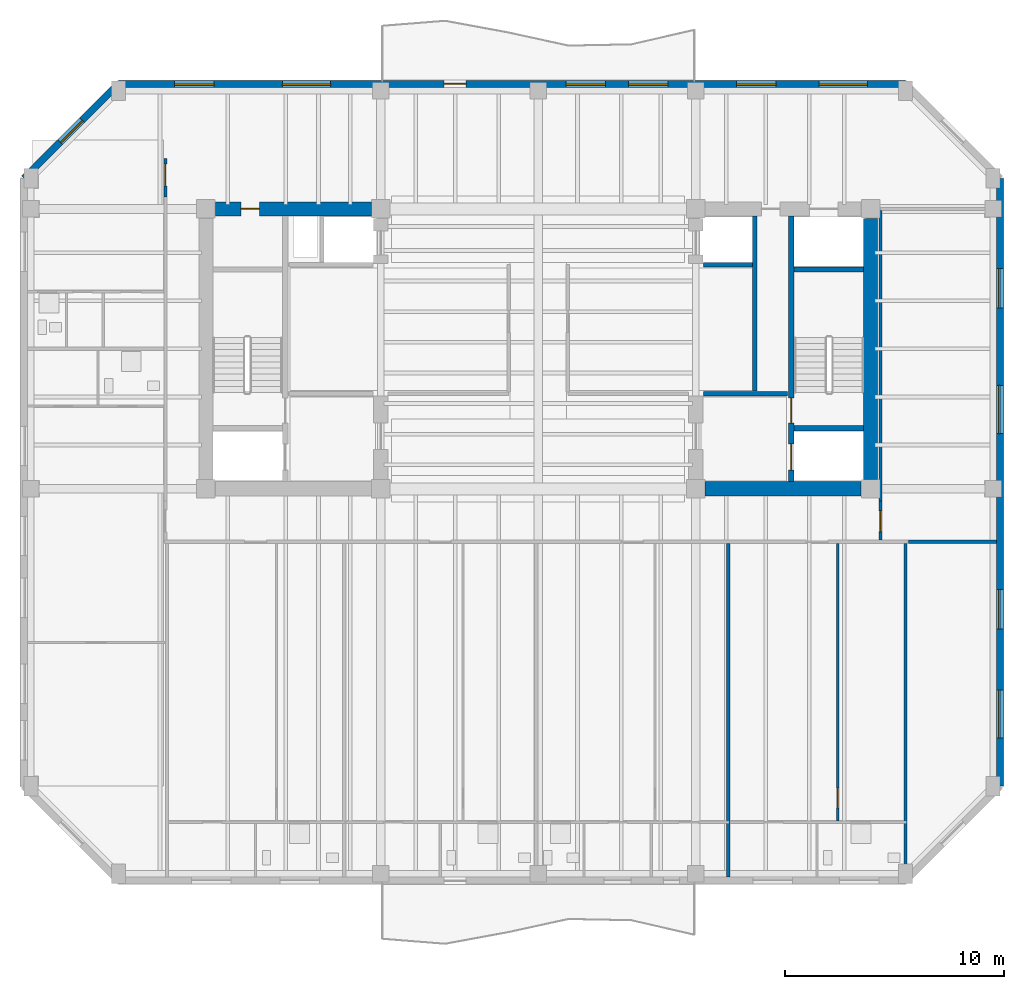
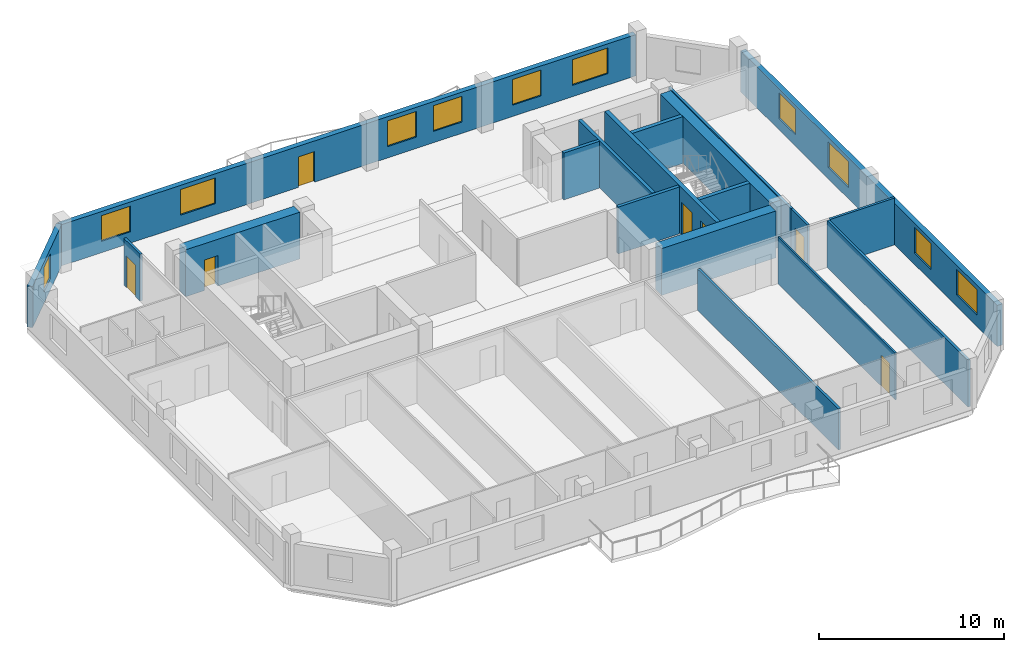
# One storey, part 5 of 11: 19 walls, 11 windows, 7 doors, 18 openings.
"""IFC4 building model written with IfcOpenShell, lengths in metres."""

from ifc_helpers import new_model, si_unit, direction, frame, frame_2d, origin, place, context, subcontext, project, spatial, rectangle, extrude, material, layer, layer_set, type_object, element, fill, save


model = new_model("IFC4")

# Units and contexts
model_context = context("Model", 3, precision=1e-05, world=origin(), true_north=direction((0.0, 1.0)))
body_context = subcontext(model_context, "Body", "Model", "MODEL_VIEW")
ifc_project = project(units=[si_unit("LENGTHUNIT", "METRE"), si_unit("AREAUNIT", "SQUARE_METRE"), si_unit("VOLUMEUNIT", "CUBIC_METRE"), si_unit("PLANEANGLEUNIT", "RADIAN"), si_unit("MASSUNIT", "GRAM", prefix="KILO")], contexts=[model_context])

# Site, building, storey
site_placement = place(None, origin())
site = spatial("IfcSite", under=ifc_project, at=site_placement, CompositionType="ELEMENT")
building_placement = place(site_placement, origin())
building = spatial("IfcBuilding", under=site, at=building_placement, Name="Kranthara Brick Stack", CompositionType="ELEMENT")
storey_placement = place(building_placement, frame((0.0, 0.0, 217.699951171875)))
storey = spatial("IfcBuildingStorey", under=building, at=storey_placement, Name="L56", CompositionType="ELEMENT", Elevation=217.699951171875)

# Wall, opening, window
ifc_material_1 = material(Name="Warm buff clay brick masonry M15", Category="masonry")
ifc_layer_1 = layer(ifc_material_1, 0.320068359375)
ifc_layer_set_1 = layer_set([ifc_layer_1], Name="Warm buff clay brick masonry M15")
wall_type_1 = type_object("IfcWallType", Name="WL-BRK-UPPR-320", PredefinedType="STANDARD", material=ifc_layer_set_1)
wall_1_placement = place(storey_placement, frame((4.47998046875, 35.0, 0.0), z_axis=(0.0, 0.0, 1.0), x_axis=(0.707106781187, 0.707106781187, 0.0)))
wall_1 = element("IfcWall", 1, at=wall_1_placement, inside=storey, type_object=wall_type_1, Name="L56 Exterior Brick Facade Wall NW 1", PredefinedType="STANDARD", context=body_context, shape_type="SweptSolid", body=[
    extrude(rectangle(XDim=6.109619140625, YDim=0.320068359375, at=frame_2d((3.0546875, 0.0))), origin(), (0.0, 0.0, 1.0), 2.72509765625),
])
opening_1_placement = place(wall_1_placement, frame((2.35498046875, 0.0, 0.75)))
opening_1 = element("IfcOpeningElement", 2, at=opening_1_placement, cuts=wall_1, Name="Opening WN10", PredefinedType="OPENING", context=body_context, shape_type="SweptSolid", body=[
    extrude(rectangle(XDim=1.39990234375, YDim=1.64990234375, at=frame_2d((0.699951171875, 0.824951171875))), frame((0.0, 0.169921875, 0.0), z_axis=(0.0, -1.0, 0.0), x_axis=(1.0, 0.0, 0.0)), (0.0, 0.0, 1.0), 0.340087890625),
])
ifc_material_2 = material(Name="Double-glazed low-E solar control glass", Category="glass")
window_type_1 = type_object("IfcWindowType", Name="WN-CHM-1400x1750", PartitioningType="SINGLE_PANEL", PredefinedType="WINDOW", material=ifc_material_2)
window_1_placement = place(opening_1_placement, origin())
window_1 = element("IfcWindow", 3, at=window_1_placement, inside=storey, type_object=window_type_1, Name="L56 NW Chamfer Corner Window", OverallHeight=1.64990234375, OverallWidth=1.39990234375, PartitioningType="SINGLE_PANEL", PredefinedType="WINDOW", context=body_context, shape_type="SweptSolid", body=[
    extrude(rectangle(XDim=1.39990234375, YDim=1.64990234375, at=frame_2d((0.699951171875, 0.824951171875))), frame((0.0, -0.010009765625, 0.0), z_axis=(0.0, -1.0, 0.0), x_axis=(1.0, 0.0, 0.0)), (0.0, 0.0, 1.0), 0.06005859375),
])
fill(opening_1, window_1)

# Wall, openings, door, windows
wall_2_placement = place(storey_placement, frame((8.800048828125, 39.320068359375, 0.0), z_axis=(0.0, 0.0, 1.0), x_axis=(1.0, 0.0, 0.0)))
wall_2 = element("IfcWall", 4, at=wall_2_placement, inside=storey, type_object=wall_type_1, Name="L56 Exterior Brick Facade Wall NORTH 1", PredefinedType="STANDARD", context=body_context, shape_type="SweptSolid", body=[
    extrude(rectangle(XDim=36.0, YDim=0.320068359375, at=frame_2d((18.0, 0.0))), origin(), (0.0, 0.0, 1.0), 2.72509765625),
])
opening_2_placement = place(wall_2_placement, frame((14.89990234375, 0.0, 0.0)))
opening_2 = element("IfcOpeningElement", 5, at=opening_2_placement, cuts=wall_2, Name="Opening D03", PredefinedType="OPENING", context=body_context, shape_type="SweptSolid", body=[
    extrude(rectangle(XDim=1.0, YDim=2.02001953125, at=frame_2d((0.5, 1.010009765625))), frame((0.0, 0.169921875, 0.0), z_axis=(0.0, -1.0, 0.0), x_axis=(1.0, 0.0, 0.0)), (0.0, 0.0, 1.0), 0.340087890625),
])
opening_3_placement = place(wall_2_placement, frame((2.575927734375, 0.0, 0.75)))
opening_3 = element("IfcOpeningElement", 6, at=opening_3_placement, cuts=wall_2, Name="Opening WN07", PredefinedType="OPENING", context=body_context, shape_type="SweptSolid", body=[
    extrude(rectangle(XDim=1.800048828125, YDim=1.699951171875, at=frame_2d((0.89990234375, 0.85009765625))), frame((0.0, 0.169921875, 0.0), z_axis=(0.0, -1.0, 0.0), x_axis=(1.0, 0.0, 0.0)), (0.0, 0.0, 1.0), 0.340087890625),
])
opening_4_placement = place(wall_2_placement, frame((7.5, 0.0, 0.75)))
opening_4 = element("IfcOpeningElement", 7, at=opening_4_placement, cuts=wall_2, Name="Opening WN08", PredefinedType="OPENING", context=body_context, shape_type="SweptSolid", body=[
    extrude(rectangle(XDim=2.199951171875, YDim=1.699951171875, at=frame_2d((1.10009765625, 0.85009765625))), frame((0.0, 0.169921875, 0.0), z_axis=(0.0, -1.0, 0.0), x_axis=(1.0, 0.0, 0.0)), (0.0, 0.0, 1.0), 0.340087890625),
])
opening_5_placement = place(wall_2_placement, frame((20.471923828125, 0.0, 0.75)))
opening_5 = element("IfcOpeningElement", 8, at=opening_5_placement, cuts=wall_2, Name="Opening WN07", PredefinedType="OPENING", context=body_context, shape_type="SweptSolid", body=[
    extrude(rectangle(XDim=1.800048828125, YDim=1.699951171875, at=frame_2d((0.89990234375, 0.85009765625))), frame((0.0, 0.169921875, 0.0), z_axis=(0.0, -1.0, 0.0), x_axis=(1.0, 0.0, 0.0)), (0.0, 0.0, 1.0), 0.340087890625),
])
opening_6_placement = place(wall_2_placement, frame((23.327880859375, 0.0, 0.75)))
opening_6 = element("IfcOpeningElement", 9, at=opening_6_placement, cuts=wall_2, Name="Opening WN07", PredefinedType="OPENING", context=body_context, shape_type="SweptSolid", body=[
    extrude(rectangle(XDim=1.800048828125, YDim=1.699951171875, at=frame_2d((0.89990234375, 0.85009765625))), frame((0.0, 0.169921875, 0.0), z_axis=(0.0, -1.0, 0.0), x_axis=(1.0, 0.0, 0.0)), (0.0, 0.0, 1.0), 0.340087890625),
])
opening_7_placement = place(wall_2_placement, frame((28.277099609375, 0.0, 0.75)))
opening_7 = element("IfcOpeningElement", 10, at=opening_7_placement, cuts=wall_2, Name="Opening WN07", PredefinedType="OPENING", context=body_context, shape_type="SweptSolid", body=[
    extrude(rectangle(XDim=1.800048828125, YDim=1.699951171875, at=frame_2d((0.89990234375, 0.85009765625))), frame((0.0, 0.169921875, 0.0), z_axis=(0.0, -1.0, 0.0), x_axis=(1.0, 0.0, 0.0)), (0.0, 0.0, 1.0), 0.340087890625),
])
opening_8_placement = place(wall_2_placement, frame((32.048095703125, 0.0, 0.75)))
opening_8 = element("IfcOpeningElement", 11, at=opening_8_placement, cuts=wall_2, Name="Opening WN08", PredefinedType="OPENING", context=body_context, shape_type="SweptSolid", body=[
    extrude(rectangle(XDim=2.199951171875, YDim=1.699951171875, at=frame_2d((1.10009765625, 0.85009765625))), frame((0.0, 0.169921875, 0.0), z_axis=(0.0, -1.0, 0.0), x_axis=(1.0, 0.0, 0.0)), (0.0, 0.0, 1.0), 0.340087890625),
])
ifc_material_3 = material(Name="Bronze anodised aluminium and laminated glass", Category="aluminium")
door_type_1 = type_object("IfcDoorType", Name="DR-BALC-1000", OperationType="NOTDEFINED", PredefinedType="DOOR", material=ifc_material_3)
door_1_placement = place(opening_2_placement, origin())
door_1 = element("IfcDoor", 12, at=door_1_placement, inside=storey, type_object=door_type_1, Name="L56 North Balcony Terrace Door", OperationType="SINGLE_SWING_RIGHT", OverallHeight=2.02001953125, OverallWidth=1.0, PredefinedType="DOOR", context=body_context, shape_type="SweptSolid", body=[
    extrude(rectangle(XDim=1.0, YDim=2.02001953125, at=frame_2d((0.5, 1.010009765625))), frame((0.0, 0.02490234375, 0.0), z_axis=(0.0, -1.0, 0.0), x_axis=(1.0, 0.0, 0.0)), (0.0, 0.0, 1.0), 0.050048828125),
])
fill(opening_2, door_1)
ifc_material_4 = material(Name="Double-glazed low-E solar control glass", Category="glass")
window_type_2 = type_object("IfcWindowType", Name="WN-RES-1800x1850", PartitioningType="DOUBLE_PANEL_VERTICAL", PredefinedType="WINDOW", material=ifc_material_4)
window_2_placement = place(opening_3_placement, origin())
window_2 = element("IfcWindow", 13, at=window_2_placement, inside=storey, type_object=window_type_2, Name="L56 North Deep-Set Brick Window 01", OverallHeight=1.699951171875, OverallWidth=1.800048828125, PartitioningType="SINGLE_PANEL", PredefinedType="WINDOW", context=body_context, shape_type="SweptSolid", body=[
    extrude(rectangle(XDim=1.800048828125, YDim=1.699951171875, at=frame_2d((0.89990234375, 0.85009765625))), frame((0.0, -0.010009765625, 0.0), z_axis=(0.0, -1.0, 0.0), x_axis=(1.0, 0.0, 0.0)), (0.0, 0.0, 1.0), 0.06005859375),
])
fill(opening_3, window_2)
window_3_placement = place(opening_5_placement, origin())
window_3 = element("IfcWindow", 14, at=window_3_placement, inside=storey, type_object=window_type_2, Name="L56 North Deep-Set Brick Window 03", OverallHeight=1.699951171875, OverallWidth=1.800048828125, PartitioningType="SINGLE_PANEL", PredefinedType="WINDOW", context=body_context, shape_type="SweptSolid", body=[
    extrude(rectangle(XDim=1.800048828125, YDim=1.699951171875, at=frame_2d((0.89990234375, 0.85009765625))), frame((0.0, -0.010009765625, 0.0), z_axis=(0.0, -1.0, 0.0), x_axis=(1.0, 0.0, 0.0)), (0.0, 0.0, 1.0), 0.06005859375),
])
fill(opening_5, window_3)
window_4_placement = place(opening_6_placement, origin())
window_4 = element("IfcWindow", 15, at=window_4_placement, inside=storey, type_object=window_type_2, Name="L56 North Deep-Set Brick Window 04", OverallHeight=1.699951171875, OverallWidth=1.800048828125, PartitioningType="SINGLE_PANEL", PredefinedType="WINDOW", context=body_context, shape_type="SweptSolid", body=[
    extrude(rectangle(XDim=1.800048828125, YDim=1.699951171875, at=frame_2d((0.89990234375, 0.85009765625))), frame((0.0, -0.010009765625, 0.0), z_axis=(0.0, -1.0, 0.0), x_axis=(1.0, 0.0, 0.0)), (0.0, 0.0, 1.0), 0.06005859375),
])
fill(opening_6, window_4)
window_5_placement = place(opening_7_placement, origin())
window_5 = element("IfcWindow", 16, at=window_5_placement, inside=storey, type_object=window_type_2, Name="L56 North Deep-Set Brick Window 05", OverallHeight=1.699951171875, OverallWidth=1.800048828125, PartitioningType="SINGLE_PANEL", PredefinedType="WINDOW", context=body_context, shape_type="SweptSolid", body=[
    extrude(rectangle(XDim=1.800048828125, YDim=1.699951171875, at=frame_2d((0.89990234375, 0.85009765625))), frame((0.0, -0.010009765625, 0.0), z_axis=(0.0, -1.0, 0.0), x_axis=(1.0, 0.0, 0.0)), (0.0, 0.0, 1.0), 0.06005859375),
])
fill(opening_7, window_5)
ifc_material_5 = material(Name="Double-glazed low-E solar control glass", Category="glass")
window_type_3 = type_object("IfcWindowType", Name="WN-RES-2200x1850", PartitioningType="TRIPLE_PANEL_VERTICAL", PredefinedType="WINDOW", material=ifc_material_5)
window_6_placement = place(opening_4_placement, origin())
window_6 = element("IfcWindow", 17, at=window_6_placement, inside=storey, type_object=window_type_3, Name="L56 North Deep-Set Brick Window 02", OverallHeight=1.699951171875, OverallWidth=2.199951171875, PartitioningType="SINGLE_PANEL", PredefinedType="WINDOW", context=body_context, shape_type="SweptSolid", body=[
    extrude(rectangle(XDim=2.199951171875, YDim=1.699951171875, at=frame_2d((1.10009765625, 0.85009765625))), frame((0.0, -0.010009765625, 0.0), z_axis=(0.0, -1.0, 0.0), x_axis=(1.0, 0.0, 0.0)), (0.0, 0.0, 1.0), 0.06005859375),
])
fill(opening_4, window_6)
window_7_placement = place(opening_8_placement, origin())
window_7 = element("IfcWindow", 18, at=window_7_placement, inside=storey, type_object=window_type_3, Name="L56 North Deep-Set Brick Window 06", OverallHeight=1.699951171875, OverallWidth=2.199951171875, PartitioningType="SINGLE_PANEL", PredefinedType="WINDOW", context=body_context, shape_type="SweptSolid", body=[
    extrude(rectangle(XDim=2.199951171875, YDim=1.699951171875, at=frame_2d((1.10009765625, 0.85009765625))), frame((0.0, -0.010009765625, 0.0), z_axis=(0.0, -1.0, 0.0), x_axis=(1.0, 0.0, 0.0)), (0.0, 0.0, 1.0), 0.06005859375),
])
fill(opening_8, window_7)

# Wall, openings, windows
wall_3_placement = place(storey_placement, frame((49.1201171875, 35.0, 0.0), z_axis=(0.0, 0.0, 1.0), x_axis=(0.0, -1.0, 0.0)))
wall_3 = element("IfcWall", 19, at=wall_3_placement, inside=storey, type_object=wall_type_1, Name="L56 Exterior Brick Facade Wall EAST 1", PredefinedType="STANDARD", context=body_context, shape_type="SweptSolid", body=[
    extrude(rectangle(XDim=27.800048828125, YDim=0.320068359375, at=frame_2d((13.89990234375, 0.0))), origin(), (0.0, 0.0, 1.0), 2.72509765625),
])
opening_9_placement = place(wall_3_placement, frame((4.1279296875, 0.0, 0.75)))
opening_9 = element("IfcOpeningElement", 20, at=opening_9_placement, cuts=wall_3, Name="Opening WN07", PredefinedType="OPENING", context=body_context, shape_type="SweptSolid", body=[
    extrude(rectangle(XDim=1.800048828125, YDim=1.699951171875, at=frame_2d((0.89990234375, 0.85009765625))), frame((0.0, 0.169921875, 0.0), z_axis=(0.0, -1.0, 0.0), x_axis=(1.0, 0.0, 0.0)), (0.0, 0.0, 1.0), 0.340087890625),
])
opening_10_placement = place(wall_3_placement, frame((9.471923828125, 0.0, 0.75)))
opening_10 = element("IfcOpeningElement", 21, at=opening_10_placement, cuts=wall_3, Name="Opening WN08", PredefinedType="OPENING", context=body_context, shape_type="SweptSolid", body=[
    extrude(rectangle(XDim=2.199951171875, YDim=1.699951171875, at=frame_2d((1.10009765625, 0.85009765625))), frame((0.0, 0.169921875, 0.0), z_axis=(0.0, -1.0, 0.0), x_axis=(1.0, 0.0, 0.0)), (0.0, 0.0, 1.0), 0.340087890625),
])
opening_11_placement = place(wall_3_placement, frame((18.81494140625, 0.0, 0.75)))
opening_11 = element("IfcOpeningElement", 22, at=opening_11_placement, cuts=wall_3, Name="Opening WN07", PredefinedType="OPENING", context=body_context, shape_type="SweptSolid", body=[
    extrude(rectangle(XDim=1.800048828125, YDim=1.699951171875, at=frame_2d((0.89990234375, 0.85009765625))), frame((0.0, 0.169921875, 0.0), z_axis=(0.0, -1.0, 0.0), x_axis=(1.0, 0.0, 0.0)), (0.0, 0.0, 1.0), 0.340087890625),
])
opening_12_placement = place(wall_3_placement, frame((23.405029296875, 0.0, 0.75)))
opening_12 = element("IfcOpeningElement", 23, at=opening_12_placement, cuts=wall_3, Name="Opening WN08", PredefinedType="OPENING", context=body_context, shape_type="SweptSolid", body=[
    extrude(rectangle(XDim=2.199951171875, YDim=1.699951171875, at=frame_2d((1.10009765625, 0.85009765625))), frame((0.0, 0.169921875, 0.0), z_axis=(0.0, -1.0, 0.0), x_axis=(1.0, 0.0, 0.0)), (0.0, 0.0, 1.0), 0.340087890625),
])
window_8_placement = place(opening_9_placement, origin())
window_8 = element("IfcWindow", 24, at=window_8_placement, inside=storey, type_object=window_type_2, Name="L56 East Deep-Set Brick Window 01", OverallHeight=1.699951171875, OverallWidth=1.800048828125, PartitioningType="SINGLE_PANEL", PredefinedType="WINDOW", context=body_context, shape_type="SweptSolid", body=[
    extrude(rectangle(XDim=1.800048828125, YDim=1.699951171875, at=frame_2d((0.89990234375, 0.85009765625))), frame((0.0, -0.010009765625, 0.0), z_axis=(0.0, -1.0, 0.0), x_axis=(1.0, 0.0, 0.0)), (0.0, 0.0, 1.0), 0.06005859375),
])
fill(opening_9, window_8)
window_9_placement = place(opening_11_placement, origin())
window_9 = element("IfcWindow", 25, at=window_9_placement, inside=storey, type_object=window_type_2, Name="L56 East Deep-Set Brick Window 03", OverallHeight=1.699951171875, OverallWidth=1.800048828125, PartitioningType="SINGLE_PANEL", PredefinedType="WINDOW", context=body_context, shape_type="SweptSolid", body=[
    extrude(rectangle(XDim=1.800048828125, YDim=1.699951171875, at=frame_2d((0.89990234375, 0.85009765625))), frame((0.0, -0.010009765625, 0.0), z_axis=(0.0, -1.0, 0.0), x_axis=(1.0, 0.0, 0.0)), (0.0, 0.0, 1.0), 0.06005859375),
])
fill(opening_11, window_9)
window_10_placement = place(opening_10_placement, origin())
window_10 = element("IfcWindow", 26, at=window_10_placement, inside=storey, type_object=window_type_3, Name="L56 East Deep-Set Brick Window 02", OverallHeight=1.699951171875, OverallWidth=2.199951171875, PartitioningType="SINGLE_PANEL", PredefinedType="WINDOW", context=body_context, shape_type="SweptSolid", body=[
    extrude(rectangle(XDim=2.199951171875, YDim=1.699951171875, at=frame_2d((1.10009765625, 0.85009765625))), frame((0.0, -0.010009765625, 0.0), z_axis=(0.0, -1.0, 0.0), x_axis=(1.0, 0.0, 0.0)), (0.0, 0.0, 1.0), 0.06005859375),
])
fill(opening_10, window_10)
window_11_placement = place(opening_12_placement, origin())
window_11 = element("IfcWindow", 27, at=window_11_placement, inside=storey, type_object=window_type_3, Name="L56 East Deep-Set Brick Window 04", OverallHeight=1.699951171875, OverallWidth=2.199951171875, PartitioningType="SINGLE_PANEL", PredefinedType="WINDOW", context=body_context, shape_type="SweptSolid", body=[
    extrude(rectangle(XDim=2.199951171875, YDim=1.699951171875, at=frame_2d((1.10009765625, 0.85009765625))), frame((0.0, -0.010009765625, 0.0), z_axis=(0.0, -1.0, 0.0), x_axis=(1.0, 0.0, 0.0)), (0.0, 0.0, 1.0), 0.06005859375),
])
fill(opening_12, window_11)

# Wall, openings, doors
ifc_material_6 = material(Name="Concrete C50/60", Category="concrete")
ifc_layer_2 = layer(ifc_material_6, 0.25)
ifc_layer_set_2 = layer_set([ifc_layer_2], Name="Concrete C50/60")
wall_type_2 = type_object("IfcWallType", Name="WL-CORE-250", PredefinedType="SHEAR", material=ifc_layer_set_2)
wall_4_placement = place(storey_placement, frame((39.56494140625, 21.135009765625, 0.0), z_axis=(0.0, 0.0, 1.0), x_axis=(0.0, 1.0, 0.0)))
wall_4 = element("IfcWall", 28, at=wall_4_placement, inside=storey, type_object=wall_type_2, Name="L56 East Core Stair Bearing Spine Wall", PredefinedType="SHEAR", context=body_context, shape_type="SweptSolid", body=[
    extrude(rectangle(XDim=12.1298828125, YDim=0.25, at=frame_2d((6.06494140625, 0.0))), origin(), (0.0, 0.0, 1.0), 3.10009765625),
])
opening_13_placement = place(wall_4_placement, frame((0.514892578125, 0.0, 0.0)))
opening_13 = element("IfcOpeningElement", 29, at=opening_13_placement, cuts=wall_4, Name="Opening LD01", PredefinedType="OPENING", context=body_context, shape_type="SweptSolid", body=[
    extrude(rectangle(XDim=1.199951171875, YDim=2.14990234375, at=frame_2d((0.60009765625, 1.074951171875))), frame((0.0, 0.135009765625, 0.0), z_axis=(0.0, -1.0, 0.0), x_axis=(1.0, 0.0, 0.0)), (0.0, 0.0, 1.0), 0.27001953125),
])
opening_14_placement = place(wall_4_placement, frame((2.6650390625, 0.0, 0.0)))
opening_14 = element("IfcOpeningElement", 30, at=opening_14_placement, cuts=wall_4, Name="Opening D05", PredefinedType="OPENING", context=body_context, shape_type="SweptSolid", body=[
    extrude(rectangle(XDim=1.14990234375, YDim=2.14990234375, at=frame_2d((0.574951171875, 1.074951171875))), frame((0.0, 0.135009765625, 0.0), z_axis=(0.0, -1.0, 0.0), x_axis=(1.0, 0.0, 0.0)), (0.0, 0.0, 1.0), 0.27001953125),
])
ifc_material_7 = material(Name="Stainless steel sliding landing door", Category="steel")
door_type_2 = type_object("IfcDoorType", Name="DR-LD-FF1200", OperationType="DOUBLE_DOOR_SLIDING", PredefinedType="DOOR", material=ifc_material_7)
door_2_placement = place(opening_13_placement, origin())
door_2 = element("IfcDoor", 31, at=door_2_placement, inside=storey, type_object=door_type_2, Name="L56 Firefighting Lift FF-02 Landing Door", OperationType="DOUBLE_DOOR_SLIDING", OverallHeight=2.14990234375, OverallWidth=1.199951171875, PredefinedType="DOOR", context=body_context, shape_type="SweptSolid", body=[
    extrude(rectangle(XDim=1.199951171875, YDim=2.14990234375, at=frame_2d((0.60009765625, 1.074951171875))), frame((0.0, 0.02490234375, 0.0), z_axis=(0.0, -1.0, 0.0), x_axis=(1.0, 0.0, 0.0)), (0.0, 0.0, 1.0), 0.050048828125),
])
fill(opening_13, door_2)
ifc_material_8 = material(Name="Solid-core hardwood timber leaf in steel frame", Category="steel")
door_type_3 = type_object("IfcDoorType", Name="DR-ST-1150", OperationType="NOTDEFINED", PredefinedType="DOOR", material=ifc_material_8)
door_3_placement = place(opening_14_placement, origin())
door_3 = element("IfcDoor", 32, at=door_3_placement, inside=storey, type_object=door_type_3, Name="L56 Exit Stair ST02 Door", OperationType="SINGLE_SWING_LEFT", OverallHeight=2.14990234375, OverallWidth=1.14990234375, PredefinedType="DOOR", context=body_context, shape_type="SweptSolid", body=[
    extrude(rectangle(XDim=1.14990234375, YDim=2.14990234375, at=frame_2d((0.574951171875, 1.074951171875))), frame((0.0, 0.02490234375, 0.0), z_axis=(0.0, -1.0, 0.0), x_axis=(1.0, 0.0, 0.0)), (0.0, 0.0, 1.0), 0.050048828125),
])
fill(opening_14, door_3)

# Walls
for number, where, z_axis, x_axis, name in (
    (33, (39.68994140625, 23.570068359375, 0.0), (0.0, 0.0, 1.0), (1.0, 0.0, 0.0), "L56 East Stairwell Bearing Wall EFF"),
    (34, (39.68994140625, 30.830078125, 0.0), (0.0, 0.0, 1.0), (1.0, 0.0, 0.0), "L56 East Stairwell Bearing Wall EST"),
):
    element("IfcWall", number, at=place(storey_placement, frame(where, z_axis=z_axis, x_axis=x_axis)), inside=storey, type_object=wall_type_2, Name=name, PredefinedType="SHEAR", context=body_context, shape_type="SweptSolid", body=[
        extrude(rectangle(XDim=3.175048828125, YDim=0.25, at=frame_2d((1.58740234375, 0.0))), origin(), (0.0, 0.0, 1.0), 3.10009765625),
    ])

# Wall, opening, door
ifc_material_9 = material(Name="Concrete C60/75", Category="concrete")
ifc_layer_3 = layer(ifc_material_9, 0.64990234375)
ifc_layer_set_3 = layer_set([ifc_layer_3], Name="Concrete C60/75")
wall_type_3 = type_object("IfcWallType", Name="WL-CORE-650", PredefinedType="SHEAR", material=ifc_layer_set_3)
wall_5_placement = place(storey_placement, frame((13.22998046875, 33.60009765625, 0.0), z_axis=(0.0, 0.0, 1.0), x_axis=(1.0, 0.0, 0.0)))
wall_5 = element("IfcWall", 35, at=wall_5_placement, inside=storey, type_object=wall_type_3, Name="L56 West Core Shear Wall North", PredefinedType="SHEAR", context=body_context, shape_type="SweptSolid", body=[
    extrude(rectangle(XDim=7.14013671875, YDim=0.64990234375, at=frame_2d((3.570068359375, 0.0))), origin(), (0.0, 0.0, 1.0), 3.10009765625),
])
opening_15_placement = place(wall_5_placement, frame((1.169921875, 0.0, 0.0)))
opening_15 = element("IfcOpeningElement", 36, at=opening_15_placement, cuts=wall_5, Name="Opening D10", PredefinedType="OPENING", context=body_context, shape_type="SweptSolid", body=[
    extrude(rectangle(XDim=0.85009765625, YDim=2.02001953125, at=frame_2d((0.425048828125, 1.010009765625))), frame((0.0, 0.3349609375, 0.0), z_axis=(0.0, -1.0, 0.0), x_axis=(1.0, 0.0, 0.0)), (0.0, 0.0, 1.0), 0.669921875),
])
ifc_material_10 = material(Name="Solid-core hardwood timber leaf in steel frame", Category="steel")
door_type_4 = type_object("IfcDoorType", Name="DR-RSR-850", OperationType="NOTDEFINED", PredefinedType="DOOR", material=ifc_material_10)
door_4_placement = place(opening_15_placement, origin())
door_4 = element("IfcDoor", 37, at=door_4_placement, inside=storey, type_object=door_type_4, Name="L56 West Core Service Door 1", OperationType="SINGLE_SWING_LEFT", OverallHeight=2.02001953125, OverallWidth=0.85009765625, PredefinedType="DOOR", context=body_context, shape_type="SweptSolid", body=[
    extrude(rectangle(XDim=0.85009765625, YDim=2.02001953125, at=frame_2d((0.425048828125, 1.010009765625))), frame((0.0, 0.02490234375, 0.0), z_axis=(0.0, -1.0, 0.0), x_axis=(1.0, 0.0, 0.0)), (0.0, 0.0, 1.0), 0.050048828125),
])
fill(opening_15, door_4)

# Walls
wall_6_placement = place(storey_placement, frame((43.199951171875, 21.22998046875, 0.0), z_axis=(0.0, 0.0, 1.0), x_axis=(0.0, 1.0, 0.0)))
element("IfcWall", 38, at=wall_6_placement, inside=storey, type_object=wall_type_3, Name="L56 East Core Shear Wall East", PredefinedType="SHEAR", context=body_context, shape_type="SweptSolid", body=[
    extrude(rectangle(XDim=11.93994140625, YDim=0.64990234375, at=frame_2d((5.969970703125, 0.0))), origin(), (0.0, 0.0, 1.0), 3.10009765625),
])
wall_7_placement = place(storey_placement, frame((35.6298828125, 20.800048828125, 0.0), z_axis=(0.0, 0.0, 1.0), x_axis=(1.0, 0.0, 0.0)))
element("IfcWall", 39, at=wall_7_placement, inside=storey, type_object=wall_type_3, Name="L56 East Core Shear Wall South", PredefinedType="SHEAR", context=body_context, shape_type="SweptSolid", body=[
    extrude(rectangle(XDim=7.14013671875, YDim=0.64990234375, at=frame_2d((3.570068359375, 0.0))), origin(), (0.0, 0.0, 1.0), 3.10009765625),
])

# Wall, opening, door
ifc_material_11 = material(Name="Moisture-resistant wet-room partition", Category="other")
ifc_layer_4 = layer(ifc_material_11, 0.10009765625)
ifc_layer_set_4 = layer_set([ifc_layer_4], Name="Moisture-resistant wet-room partition")
wall_type_4 = type_object("IfcWallType", Name="WL-PART-100", PredefinedType="PARTITIONING", material=ifc_layer_set_4)
wall_8_placement = place(storey_placement, frame((41.699951171875, 5.60498046875, 0.0), z_axis=(0.0, 0.0, 1.0), x_axis=(0.0, 1.0, 0.0)))
wall_8 = element("IfcWall", 40, at=wall_8_placement, inside=storey, type_object=wall_type_4, Name="L56 Interior Partition 021", PredefinedType="PARTITIONING", context=body_context, shape_type="SweptSolid", body=[
    extrude(rectangle(XDim=12.695068359375, YDim=0.10009765625, at=frame_2d((6.34765625, 0.0))), origin(), (0.0, 0.0, 1.0), 3.10009765625),
])
opening_16_placement = place(wall_8_placement, frame((0.60498046875, 0.0, 0.0)))
opening_16 = element("IfcOpeningElement", 41, at=opening_16_placement, cuts=wall_8, Name="Opening D15", PredefinedType="OPENING", context=body_context, shape_type="SweptSolid", body=[
    extrude(rectangle(XDim=0.89990234375, YDim=2.050048828125, at=frame_2d((0.449951171875, 1.02490234375))), frame((0.0, 0.06005859375, 0.0), z_axis=(0.0, -1.0, 0.0), x_axis=(1.0, 0.0, 0.0)), (0.0, 0.0, 1.0), 0.1201171875),
])
ifc_material_12 = material(Name="Solid-core hardwood timber leaf in steel frame", Category="steel")
door_type_5 = type_object("IfcDoorType", Name="DR-INT-900", OperationType="NOTDEFINED", PredefinedType="DOOR", material=ifc_material_12)
door_5_placement = place(opening_16_placement, origin())
door_5 = element("IfcDoor", 42, at=door_5_placement, inside=storey, type_object=door_type_5, Name="L56 Unit L56D Study 17", OperationType="SINGLE_SWING_LEFT", OverallHeight=2.050048828125, OverallWidth=0.89990234375, PredefinedType="DOOR", context=body_context, shape_type="SweptSolid", body=[
    extrude(rectangle(XDim=0.89990234375, YDim=2.050048828125, at=frame_2d((0.449951171875, 1.02490234375))), frame((0.0, 0.02490234375, 0.0), z_axis=(0.0, -1.0, 0.0), x_axis=(1.0, 0.0, 0.0)), (0.0, 0.0, 1.0), 0.050048828125),
])
fill(opening_16, door_5)

# Walls
ifc_material_13 = material(Name="Fire-rated gypsum board partition", Category="other")
ifc_layer_5 = layer(ifc_material_13, 0.14990234375)
ifc_layer_set_5 = layer_set([ifc_layer_5], Name="Fire-rated gypsum board partition")
wall_type_5 = type_object("IfcWallType", Name="WL-PART-150", PredefinedType="PARTITIONING", material=ifc_layer_set_5)
wall_9_placement = place(storey_placement, frame((36.693115234375, 3.044921875, 0.0), z_axis=(0.0, 0.0, 1.0), x_axis=(0.0, 1.0, 0.0)))
element("IfcWall", 43, at=wall_9_placement, inside=storey, type_object=wall_type_5, Name="L56 Interior Partition 019", PredefinedType="PARTITIONING", context=body_context, shape_type="SweptSolid", body=[
    extrude(rectangle(XDim=15.255126953125, YDim=0.14990234375, at=frame_2d((7.62744140625, 0.0))), origin(), (0.0, 0.0, 1.0), 2.72509765625),
])
wall_10_placement = place(storey_placement, frame((44.800048828125, 3.044921875, 0.0), z_axis=(0.0, 0.0, 1.0), x_axis=(0.0, 1.0, 0.0)))
element("IfcWall", 44, at=wall_10_placement, inside=storey, type_object=wall_type_5, Name="L56 Interior Partition 023", PredefinedType="PARTITIONING", context=body_context, shape_type="SweptSolid", body=[
    extrude(rectangle(XDim=15.255126953125, YDim=0.14990234375, at=frame_2d((7.62744140625, 0.0))), origin(), (0.0, 0.0, 1.0), 3.10009765625),
])

# Wall, opening, door
wall_11_placement = place(storey_placement, frame((10.949951171875, 34.14990234375, 0.0), z_axis=(0.0, 0.0, 1.0), x_axis=(0.0, 1.0, 0.0)))
wall_11 = element("IfcWall", 45, at=wall_11_placement, inside=storey, type_object=wall_type_5, Name="L56 Interior Partition 027", PredefinedType="PARTITIONING", context=body_context, shape_type="SweptSolid", body=[
    extrude(rectangle(XDim=1.75, YDim=0.14990234375, at=frame_2d((0.875, 0.0))), origin(), (0.0, 0.0, 1.0), 3.10009765625),
])
opening_17_placement = place(wall_11_placement, frame((0.5, 0.0, 0.0)))
opening_17 = element("IfcOpeningElement", 46, at=opening_17_placement, cuts=wall_11, Name="Opening D08", PredefinedType="OPENING", context=body_context, shape_type="SweptSolid", body=[
    extrude(rectangle(XDim=1.0, YDim=2.10009765625, at=frame_2d((0.5, 1.050048828125))), frame((0.0, 0.0849609375, 0.0), z_axis=(0.0, -1.0, 0.0), x_axis=(1.0, 0.0, 0.0)), (0.0, 0.0, 1.0), 0.169921875),
])
ifc_material_14 = material(Name="Solid-core hardwood timber leaf in steel frame", Category="steel")
door_type_6 = type_object("IfcDoorType", Name="DR-FD-1000", OperationType="NOTDEFINED", PredefinedType="DOOR", material=ifc_material_14)
door_6_placement = place(opening_17_placement, origin())
door_6 = element("IfcDoor", 47, at=door_6_placement, inside=storey, type_object=door_type_6, Name="L56 Unit L56F Entrance 24", OperationType="SINGLE_SWING_RIGHT", OverallHeight=2.10009765625, OverallWidth=1.0, PredefinedType="DOOR", context=body_context, shape_type="SweptSolid", body=[
    extrude(rectangle(XDim=1.0, YDim=2.10009765625, at=frame_2d((0.5, 1.050048828125))), frame((0.0, 0.02490234375, 0.0), z_axis=(0.0, -1.0, 0.0), x_axis=(1.0, 0.0, 0.0)), (0.0, 0.0, 1.0), 0.050048828125),
])
fill(opening_17, door_6)

# Wall
wall_12_placement = place(storey_placement, frame((44.929931640625, 18.3798828125, 0.0), z_axis=(0.0, 0.0, 1.0), x_axis=(1.0, 0.0, 0.0)))
element("IfcWall", 48, at=wall_12_placement, inside=storey, type_object=wall_type_5, Name="L56 Interior Partition 036", PredefinedType="PARTITIONING", context=body_context, shape_type="SweptSolid", body=[
    extrude(rectangle(XDim=4.025146484375, YDim=0.14990234375, at=frame_2d((2.0126953125, 0.0))), origin(), (0.0, 0.0, 1.0), 3.10009765625),
])

# Wall, opening, door
wall_13_placement = place(storey_placement, frame((43.64990234375, 18.4599609375, 0.0), z_axis=(0.0, 0.0, 1.0), x_axis=(0.0, 1.0, 0.0)))
wall_13 = element("IfcWall", 49, at=wall_13_placement, inside=storey, type_object=wall_type_5, Name="L56 Interior Partition 038", PredefinedType="PARTITIONING", context=body_context, shape_type="SweptSolid", body=[
    extrude(rectangle(XDim=1.7900390625, YDim=0.14990234375, at=frame_2d((0.89501953125, 0.0))), origin(), (0.0, 0.0, 1.0), 3.10009765625),
])
opening_18_placement = place(wall_13_placement, frame((0.3798828125, 0.0, 0.0)))
opening_18 = element("IfcOpeningElement", 50, at=opening_18_placement, cuts=wall_13, Name="Opening D09", PredefinedType="OPENING", context=body_context, shape_type="SweptSolid", body=[
    extrude(rectangle(XDim=0.949951171875, YDim=2.10009765625, at=frame_2d((0.47509765625, 1.050048828125))), frame((0.0, 0.0849609375, 0.0), z_axis=(0.0, -1.0, 0.0), x_axis=(1.0, 0.0, 0.0)), (0.0, 0.0, 1.0), 0.169921875),
])
ifc_material_15 = material(Name="Solid-core hardwood timber leaf in steel frame", Category="steel")
door_type_7 = type_object("IfcDoorType", Name="DR-FD-950", OperationType="NOTDEFINED", PredefinedType="DOOR", material=ifc_material_15)
door_7_placement = place(opening_18_placement, origin())
door_7 = element("IfcDoor", 51, at=door_7_placement, inside=storey, type_object=door_type_7, Name="L56 East Sky Conservatory Door 28", OperationType="SINGLE_SWING_RIGHT", OverallHeight=2.10009765625, OverallWidth=0.949951171875, PredefinedType="DOOR", context=body_context, shape_type="SweptSolid", body=[
    extrude(rectangle(XDim=0.949951171875, YDim=2.10009765625, at=frame_2d((0.47509765625, 1.050048828125))), frame((0.0, 0.02490234375, 0.0), z_axis=(0.0, -1.0, 0.0), x_axis=(1.0, 0.0, 0.0)), (0.0, 0.0, 1.0), 0.050048828125),
])
fill(opening_18, door_7)

# Walls
wall_14_placement = place(storey_placement, frame((43.64990234375, 20.25, 0.0), z_axis=(0.0, 0.0, 1.0), x_axis=(0.0, 1.0, 0.0)))
element("IfcWall", 52, at=wall_14_placement, inside=storey, type_object=wall_type_5, Name="L56 Interior Partition 039", PredefinedType="PARTITIONING", context=body_context, shape_type="SweptSolid", body=[
    extrude(rectangle(XDim=13.27001953125, YDim=0.14990234375, at=frame_2d((6.635009765625, 0.0))), origin(), (0.0, 0.0, 1.0), 3.10009765625),
])
ifc_material_16 = material(Name="Concrete C40/50", Category="concrete")
ifc_layer_6 = layer(ifc_material_16, 0.199951171875)
ifc_layer_set_6 = layer_set([ifc_layer_6], Name="Concrete C40/50")
wall_type_6 = type_object("IfcWallType", Name="WL-PART-200", PredefinedType="SOLIDWALL", material=ifc_layer_set_6)
wall_15_placement = place(storey_placement, frame((35.550048828125, 25.14990234375, 0.0), z_axis=(0.0, 0.0, 1.0), x_axis=(1.0, 0.0, 0.0)))
element("IfcWall", 53, at=wall_15_placement, inside=storey, type_object=wall_type_6, Name="L56 East Core Cross Wall EFL", PredefinedType="SOLIDWALL", context=body_context, shape_type="SweptSolid", body=[
    extrude(rectangle(XDim=3.849853515625, YDim=0.199951171875, at=frame_2d((1.9248046875, 0.0))), origin(), (0.0, 0.0, 1.0), 3.10009765625),
])
wall_16_placement = place(storey_placement, frame((35.550048828125, 31.050048828125, 0.0), z_axis=(0.0, 0.0, 1.0), x_axis=(1.0, 0.0, 0.0)))
element("IfcWall", 54, at=wall_16_placement, inside=storey, type_object=wall_type_6, Name="L56 East Core Cross Wall EE4", PredefinedType="SOLIDWALL", context=body_context, shape_type="SweptSolid", body=[
    extrude(rectangle(XDim=2.25, YDim=0.199951171875, at=frame_2d((1.125, 0.0))), origin(), (0.0, 0.0, 1.0), 3.10009765625),
])
wall_17_placement = place(storey_placement, frame((37.89990234375, 25.27001953125, 0.0), z_axis=(0.0, 0.0, 1.0), x_axis=(0.0, 1.0, 0.0)))
element("IfcWall", 55, at=wall_17_placement, inside=storey, type_object=wall_type_6, Name="L56 East Core Cross Wall ESV", PredefinedType="SOLIDWALL", context=body_context, shape_type="SweptSolid", body=[
    extrude(rectangle(XDim=7.994873046875, YDim=0.199951171875, at=frame_2d((3.99755859375, 0.0))), origin(), (0.0, 0.0, 1.0), 3.10009765625),
])

save(model, "model.ifc")
